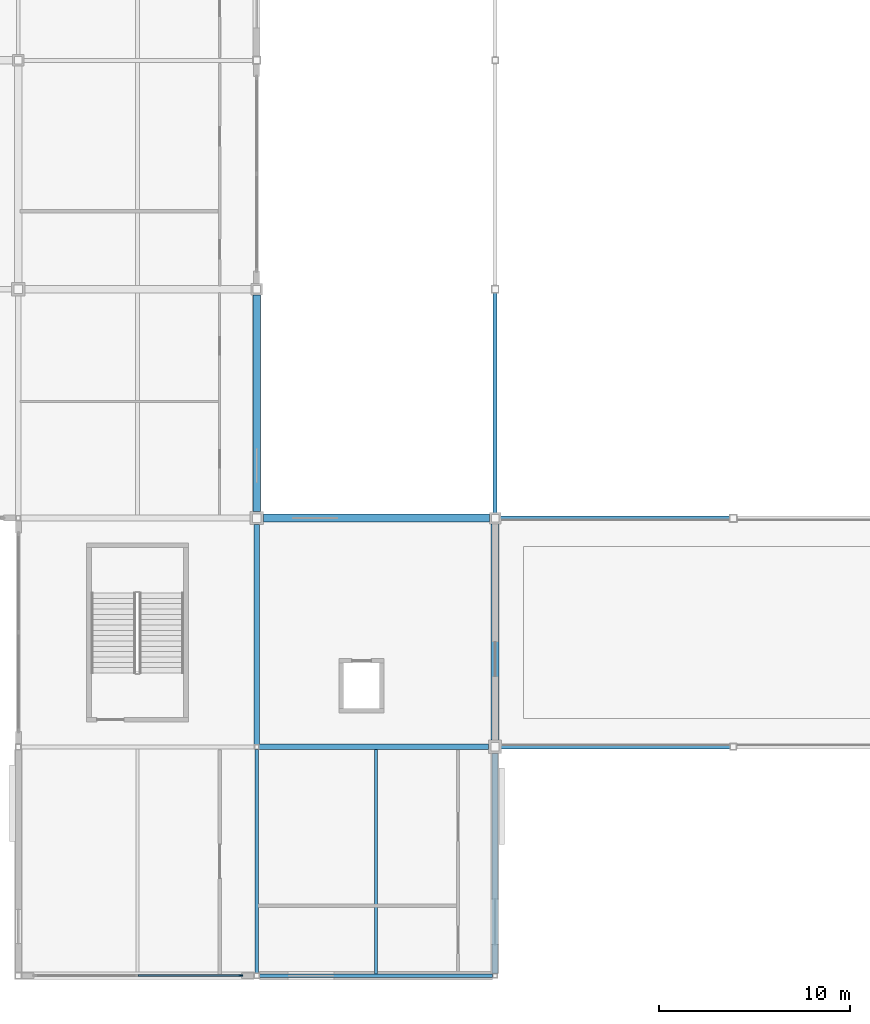
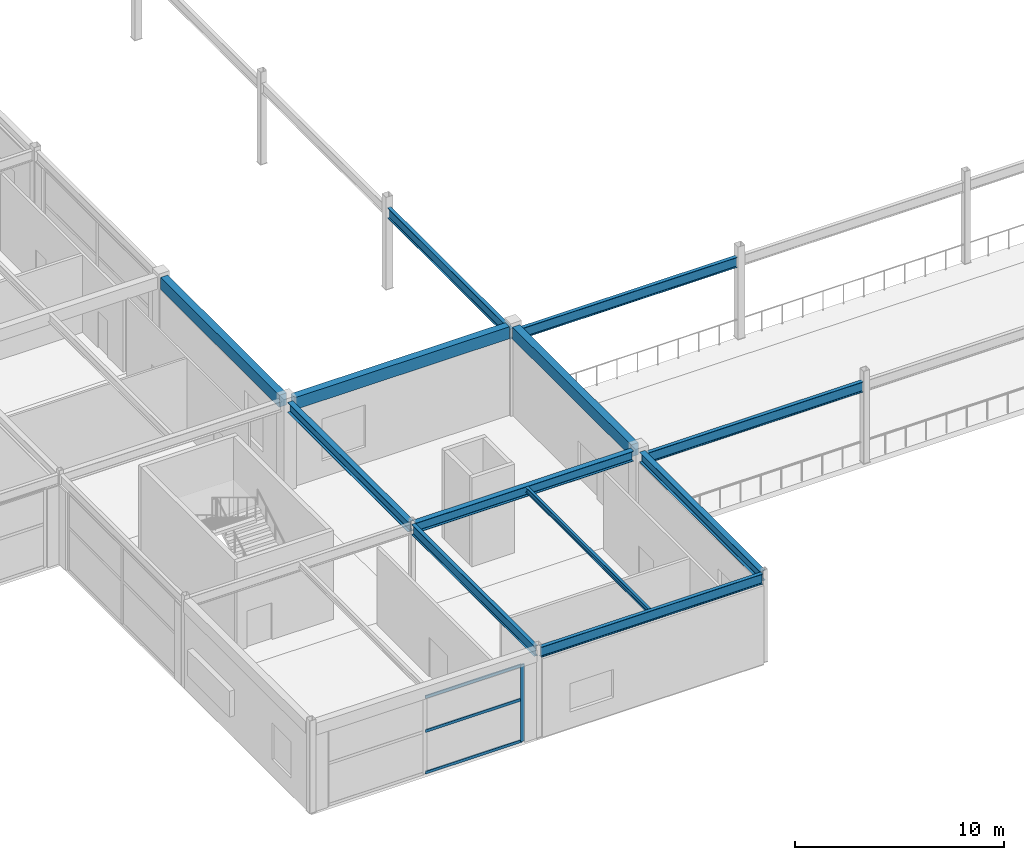
# One storey, part 28 of 105: 12 beams, 4 members, 1 element without a shape of its own.
"""IFC4 building model written with IfcOpenShell, lengths in metres."""

from ifc_helpers import new_model, si_unit, direction, frame, origin, origin_2d, place, context, subcontext, project, spatial, rectangle, i_section, extrude, material, layer, layer_set, material_profile, profile_set, type_object, element, aggregate, save


model = new_model("IFC4")

# Units and contexts
model_context = context("Model", 3, precision=1e-05, world=origin(), true_north=direction((0.0, 1.0)))
body_context = subcontext(model_context, "Body", "Model", "MODEL_VIEW")
ifc_project = project(units=[si_unit("LENGTHUNIT", "METRE"), si_unit("AREAUNIT", "SQUARE_METRE"), si_unit("VOLUMEUNIT", "CUBIC_METRE"), si_unit("PLANEANGLEUNIT", "RADIAN"), si_unit("MASSUNIT", "GRAM", prefix="KILO")], contexts=[model_context])

# Site, building, storey
site_placement = place(None, origin())
site = spatial("IfcSite", under=ifc_project, at=site_placement, CompositionType="ELEMENT")
building_placement = place(site_placement, origin())
building = spatial("IfcBuilding", under=site, at=building_placement, Name="Kazenohara Klinker Stadium", CompositionType="ELEMENT")
storey_placement = place(building_placement, frame((0.0, 0.0, 20.39990234375)))
storey = spatial("IfcBuildingStorey", under=building, at=storey_placement, Name="L04", CompositionType="ELEMENT", Elevation=20.39990234375)

# Beams
ifc_material_1 = material(Name="Steel S355", Category="steel")
ifc_material_profile_1 = material_profile(ifc_material_1, i_section(OverallWidth=0.14990234375, OverallDepth=0.300048828125, WebThickness=0.006591796875, FlangeThickness=0.009033203125, FilletRadius=0.012939453125, at=origin_2d()), Name="H-300x150x6.5x9")
ifc_profile_set_1 = profile_set([ifc_material_profile_1], Name="Steel S355")
beam_type_1 = type_object("IfcBeamType", Name="BM-JST05", PredefinedType="JOIST", material=ifc_profile_set_1)
beam_1_placement = place(storey_placement, frame((42.75, 12.10009765625, 5.030029296875), z_axis=(0.0, 1.0, 0.0), x_axis=(-1.0, 0.0, 0.0)))
element("IfcBeam", 1, at=beam_1_placement, inside=storey, type_object=beam_type_1, Name="Secondary floor joist SJ05 L04 4/B", PredefinedType="JOIST", context=body_context, shape_type="SweptSolid", body=[
    extrude(i_section(OverallWidth=0.14990234375, OverallDepth=0.300048828125, WebThickness=0.006591796875, FlangeThickness=0.009033203125, FilletRadius=0.012939453125, at=origin_2d()), origin(), (0.0, 0.0, 1.0), 11.75),
])
ifc_material_2 = material(Name="Concrete C40/50", Category="concrete")
ifc_material_profile_2 = material_profile(ifc_material_2, rectangle(XDim=0.39990234375, YDim=0.699951171875, at=origin_2d()), Name="RC-BM-400x700")
ifc_profile_set_2 = profile_set([ifc_material_profile_2], Name="Concrete C40/50")
beam_type_2 = type_object("IfcBeamType", Name="BM-RC04", PredefinedType="BEAM", material=ifc_profile_set_2)
beam_2_placement = place(storey_placement, frame((36.85009765625, 36.0, 4.830078125), z_axis=(1.0, 0.0, 0.0), x_axis=(0.0, 1.0, 0.0)))
element("IfcBeam", 2, at=beam_2_placement, inside=storey, type_object=beam_type_2, Name="Primary girder BG04 L04 4-5/D", PredefinedType="BEAM", context=body_context, shape_type="SweptSolid", body=[
    extrude(rectangle(XDim=0.39990234375, YDim=0.699951171875, at=origin_2d()), origin(), (0.0, 0.0, 1.0), 11.849853515625),
])
for number, where, z_axis, x_axis, name in (
    (3, (36.5, 36.35009765625, 4.830078125), (0.0, 1.0, 0.0), (-1.0, 0.0, 0.0), "Primary girder BG04 L04 4/D-E"),
    (4, (49.0, 24.35009765625, 4.830078125), (0.0, 1.0, 0.0), (-1.0, 0.0, 0.0), "Primary girder BG04 L04 5/C-D"),
):
    element("IfcBeam", number, at=place(storey_placement, frame(where, z_axis=z_axis, x_axis=x_axis)), inside=storey, type_object=beam_type_2, Name=name, PredefinedType="BEAM", context=body_context, shape_type="SweptSolid", body=[
        extrude(rectangle(XDim=0.39990234375, YDim=0.699951171875, at=origin_2d()), origin(), (0.0, 0.0, 1.0), 11.349853515625),
    ])
ifc_material_profile_3 = material_profile(ifc_material_1, i_section(OverallWidth=0.199951171875, OverallDepth=0.60009765625, WebThickness=0.010986328125, FlangeThickness=0.01708984375, FilletRadius=0.012939453125, at=origin_2d()), Name="H-600x200x11x17")
ifc_profile_set_3 = profile_set([ifc_material_profile_3], Name="Steel S355")
beam_type_3 = type_object("IfcBeamType", Name="BM-ST04", PredefinedType="BEAM", material=ifc_profile_set_3)
beam_3_placement = place(storey_placement, frame((36.64990234375, 12.0, 4.880126953125), z_axis=(1.0, 0.0, 0.0), x_axis=(0.0, 1.0, 0.0)))
element("IfcBeam", 5, at=beam_3_placement, inside=storey, type_object=beam_type_3, Name="Primary girder SB04 L04 4-5/B", PredefinedType="BEAM", context=body_context, shape_type="SweptSolid", body=[
    extrude(i_section(OverallWidth=0.199951171875, OverallDepth=0.60009765625, WebThickness=0.010986328125, FlangeThickness=0.01708984375, FilletRadius=0.012939453125, at=origin_2d()), origin(), (0.0, 0.0, 1.0), 12.22509765625),
])
beam_4_placement = place(storey_placement, frame((36.5, 12.14990234375, 4.880126953125), z_axis=(0.0, 1.0, 0.0), x_axis=(-1.0, 0.0, 0.0)))
element("IfcBeam", 6, at=beam_4_placement, inside=storey, type_object=beam_type_3, Name="Primary girder SB04 L04 4/B-C", PredefinedType="BEAM", context=body_context, shape_type="SweptSolid", body=[
    extrude(i_section(OverallWidth=0.199951171875, OverallDepth=0.60009765625, WebThickness=0.010986328125, FlangeThickness=0.01708984375, FilletRadius=0.012939453125, at=origin_2d()), origin(), (0.0, 0.0, 1.0), 11.72509765625),
])
beam_5_placement = place(storey_placement, frame((49.0, 36.139892578125, 4.4501953125), z_axis=(0.0, 1.0, 0.0), x_axis=(-1.0, 0.0, 0.0)))
element("IfcBeam", 7, at=beam_5_placement, inside=storey, type_object=beam_type_3, Name="Canopy tie girder SB04 L04 5/D", PredefinedType="BEAM", context=body_context, shape_type="SweptSolid", body=[
    extrude(i_section(OverallWidth=0.199951171875, OverallDepth=0.60009765625, WebThickness=0.010986328125, FlangeThickness=0.01708984375, FilletRadius=0.012939453125, at=origin_2d()), origin(), (0.0, 0.0, 1.0), 11.72021484375),
])
for number, where, z_axis, x_axis, name in (
    (8, (49.139892578125, 24.0, 4.4501953125), (1.0, 0.0, 0.0), (0.0, 1.0, 0.0), "Canopy tie girder SB04 L04 5-6/C"),
    (9, (49.139892578125, 36.0, 4.4501953125), (1.0, 0.0, 0.0), (0.0, 1.0, 0.0), "Canopy tie girder SB04 L04 5-6/D"),
):
    element("IfcBeam", number, at=place(storey_placement, frame(where, z_axis=z_axis, x_axis=x_axis)), inside=storey, type_object=beam_type_3, Name=name, PredefinedType="BEAM", context=body_context, shape_type="SweptSolid", body=[
        extrude(i_section(OverallWidth=0.199951171875, OverallDepth=0.60009765625, WebThickness=0.010986328125, FlangeThickness=0.01708984375, FilletRadius=0.012939453125, at=origin_2d()), origin(), (0.0, 0.0, 1.0), 12.22021484375),
    ])
ifc_material_profile_4 = material_profile(ifc_material_1, i_section(OverallWidth=0.300048828125, OverallDepth=0.587890625, WebThickness=0.011962890625, FlangeThickness=0.02001953125, FilletRadius=0.02197265625, at=origin_2d()), Name="H-588x300x12x20")
ifc_profile_set_4 = profile_set([ifc_material_profile_4], Name="Steel S355")
beam_type_4 = type_object("IfcBeamType", Name="BM-ST05", PredefinedType="BEAM", material=ifc_profile_set_4)
beam_6_placement = place(storey_placement, frame((36.625, 24.0, 4.885986328125), z_axis=(1.0, 0.0, 0.0), x_axis=(0.0, 1.0, 0.0)))
element("IfcBeam", 10, at=beam_6_placement, inside=storey, type_object=beam_type_4, Name="Primary girder SB05 L04 4-5/C", PredefinedType="BEAM", context=body_context, shape_type="SweptSolid", body=[
    extrude(i_section(OverallWidth=0.300048828125, OverallDepth=0.587890625, WebThickness=0.011962890625, FlangeThickness=0.02001953125, FilletRadius=0.02197265625, at=origin_2d()), origin(), (0.0, 0.0, 1.0), 12.02490234375),
])
for number, where, z_axis, x_axis, name in (
    (11, (36.5, 24.125, 4.885986328125), (0.0, 1.0, 0.0), (-1.0, 0.0, 0.0), "Primary girder SB05 L04 4/C-D"),
    (12, (49.0, 12.125, 4.885986328125), (0.0, 1.0, 0.0), (-1.0, 0.0, 0.0), "Primary girder SB05 L04 5/B-C"),
):
    element("IfcBeam", number, at=place(storey_placement, frame(where, z_axis=z_axis, x_axis=x_axis)), inside=storey, type_object=beam_type_4, Name=name, PredefinedType="BEAM", context=body_context, shape_type="SweptSolid", body=[
        extrude(i_section(OverallWidth=0.300048828125, OverallDepth=0.587890625, WebThickness=0.011962890625, FlangeThickness=0.02001953125, FilletRadius=0.02197265625, at=origin_2d()), origin(), (0.0, 0.0, 1.0), 11.52490234375),
    ])

# Curtain wall, members
ifc_material_3 = material(Name="Anodised aluminium and triple glazing", Category="aluminium")
ifc_layer = layer(ifc_material_3, 0.159912109375)
ifc_layer_set = layer_set([ifc_layer], Name="Anodised aluminium and triple glazing")
curtain_wall_type = type_object("IfcCurtainWallType", Name="CW-SYS-01", PredefinedType="USERDEFINED", material=ifc_layer_set)
curtain_wall_placement = place(storey_placement, origin())
curtain_wall = element("IfcCurtainWall", 13, at=curtain_wall_placement, inside=storey, type_object=curtain_wall_type, Name="Unitised facade curtain wall CW01 L04 X2-1", ObjectType="UNITISED CURTAIN WALL", PredefinedType="USERDEFINED")
ifc_material_4 = material(Name="Anodised aluminium 6063-T6", Category="aluminium")
ifc_material_profile_5 = material_profile(ifc_material_4, rectangle(XDim=0.074951171875, YDim=0.219970703125, at=origin_2d()), Name="ALU-MUL-75x220")
ifc_profile_set_5 = profile_set([ifc_material_profile_5], Name="Anodised aluminium 6063-T6")
member_type_1 = type_object("IfcMemberType", Name="CW-MUL-220", PredefinedType="MULLION", material=ifc_profile_set_5)
member_1_placement = place(storey_placement, frame((35.658447265625, 12.0, 0.0), z_axis=(0.0, 0.0, 1.0), x_axis=(0.0, 1.0, 0.0)))
member_1 = element("IfcMember", 14, at=member_1_placement, type_object=member_type_1, Name="CW01 mullion 3", PredefinedType="MULLION", context=body_context, shape_type="SweptSolid", body=[
    extrude(rectangle(XDim=0.074951171875, YDim=0.219970703125, at=origin_2d()), origin(), (0.0, 0.0, 1.0), 4.47998046875),
])
ifc_material_profile_6 = material_profile(ifc_material_4, rectangle(XDim=0.074951171875, YDim=0.159912109375, at=origin_2d()), Name="ALU-TRN-75x160")
ifc_profile_set_6 = profile_set([ifc_material_profile_6], Name="Anodised aluminium 6063-T6")
member_type_2 = type_object("IfcMemberType", Name="CW-TRN-160", PredefinedType="USERDEFINED", material=ifc_profile_set_6)
member_2_placement = place(storey_placement, frame((30.300048828125, 12.0, 0.03759765625), z_axis=(1.0, 0.0, 0.0), x_axis=(0.0, 1.0, 0.0)))
member_2 = element("IfcMember", 15, at=member_2_placement, type_object=member_type_2, Name="CW01 transom 2.1", ObjectType="TRANSOM", PredefinedType="USERDEFINED", context=body_context, shape_type="SweptSolid", body=[
    extrude(rectangle(XDim=0.074951171875, YDim=0.159912109375, at=origin_2d()), origin(), (0.0, 0.0, 1.0), 5.321044921875),
])
member_3_placement = place(storey_placement, frame((30.300048828125, 12.0, 2.464111328125), z_axis=(1.0, 0.0, 0.0), x_axis=(0.0, 1.0, 0.0)))
member_3 = element("IfcMember", 16, at=member_3_placement, type_object=member_type_2, Name="CW01 transom 2.2", ObjectType="TRANSOM", PredefinedType="USERDEFINED", context=body_context, shape_type="SweptSolid", body=[
    extrude(rectangle(XDim=0.074951171875, YDim=0.159912109375, at=origin_2d()), origin(), (0.0, 0.0, 1.0), 5.321044921875),
])
member_4_placement = place(storey_placement, frame((30.300048828125, 12.0, 4.442626953125), z_axis=(1.0, 0.0, 0.0), x_axis=(0.0, 1.0, 0.0)))
member_4 = element("IfcMember", 17, at=member_4_placement, type_object=member_type_2, Name="CW01 transom 2.3", ObjectType="TRANSOM", PredefinedType="USERDEFINED", context=body_context, shape_type="SweptSolid", body=[
    extrude(rectangle(XDim=0.074951171875, YDim=0.159912109375, at=origin_2d()), origin(), (0.0, 0.0, 1.0), 5.321044921875),
])
aggregate(curtain_wall, [member_1, member_2, member_3, member_4])

save(model, "model.ifc")
